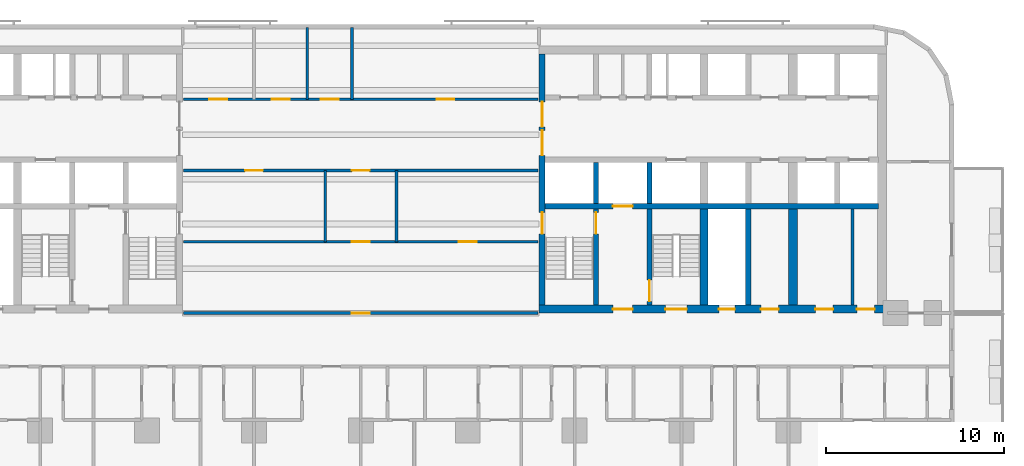
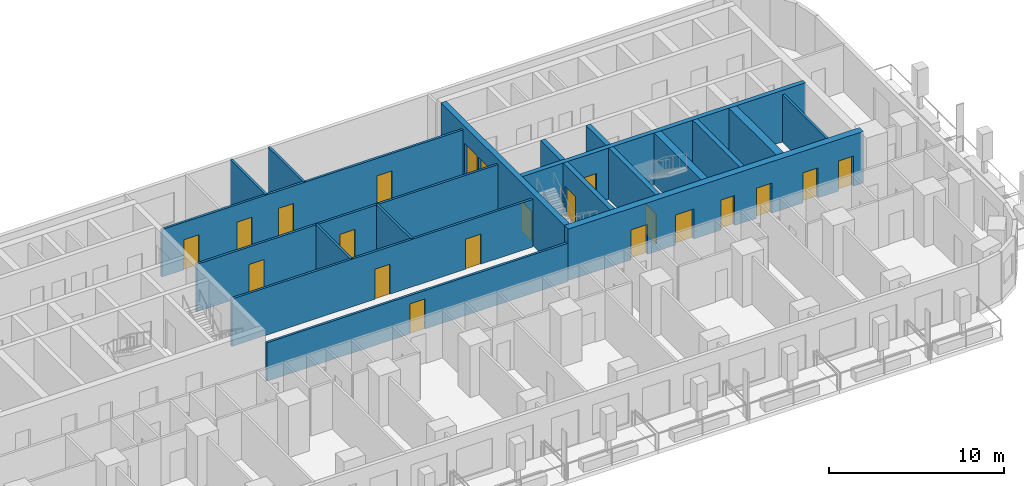
# One storey, part 7 of 14: 21 doors, 19 walls, 21 openings.
"""IFC4 building model written with IfcOpenShell, lengths in metres."""

from ifc_helpers import new_model, si_unit, direction, frame, frame_2d, origin, place, context, subcontext, project, spatial, rectangle, extrude, material, layer, layer_set, type_object, element, fill, save


model = new_model("IFC4")

# Units and contexts
model_context = context("Model", 3, precision=1e-05, world=origin(), true_north=direction((0.0, 1.0)))
body_context = subcontext(model_context, "Body", "Model", "MODEL_VIEW")
ifc_project = project(units=[si_unit("LENGTHUNIT", "METRE"), si_unit("AREAUNIT", "SQUARE_METRE"), si_unit("VOLUMEUNIT", "CUBIC_METRE"), si_unit("PLANEANGLEUNIT", "RADIAN"), si_unit("MASSUNIT", "GRAM", prefix="KILO")], contexts=[model_context])

# Site, building, storey
site_placement = place(None, origin())
site = spatial("IfcSite", under=ifc_project, at=site_placement, CompositionType="ELEMENT")
building_placement = place(site_placement, origin())
building = spatial("IfcBuilding", under=site, at=building_placement, Name="Torana Hotel and Residences", CompositionType="ELEMENT")
storey_placement = place(building_placement, frame((0.0, 0.0, 74.39990234375)))
storey = spatial("IfcBuildingStorey", under=building, at=storey_placement, Name="L18", CompositionType="ELEMENT", Elevation=74.39990234375)

# Wall, opening, door
ifc_material_1 = material(Name="Concrete C80/95", Category="concrete")
ifc_layer_1 = layer(ifc_material_1, 0.300048828125)
ifc_layer_set_1 = layer_set([ifc_layer_1], Name="CORE WALL 300 C80/95")
wall_type_1 = type_object("IfcWallType", Name="CORE WALL 300 C80/95", PredefinedType="SHEAR", material=ifc_layer_set_1)
wall_1_placement = place(storey_placement, frame((10.35009765625, -9.0, 0.0), z_axis=(0.0, 0.0, 1.0), x_axis=(1.0, 0.0, 0.0)))
wall_1 = element("IfcWall", 1, at=wall_1_placement, inside=storey, type_object=wall_type_1, Name="Core wall E band", PredefinedType="SHEAR", context=body_context, shape_type="SweptSolid", body=[
    extrude(rectangle(XDim=18.699951171875, YDim=0.300048828125, at=frame_2d((9.35009765625, 0.0))), origin(), (0.0, 0.0, 1.0), 3.60009765625),
])
opening_1_placement = place(wall_1_placement, frame((3.800048828125, 0.0, 0.0)))
opening_1 = element("IfcOpeningElement", 2, at=opening_1_placement, cuts=wall_1, Name="Opening LD", PredefinedType="OPENING", context=body_context, shape_type="SweptSolid", body=[
    extrude(rectangle(XDim=1.10009765625, YDim=2.10009765625, at=frame_2d((0.550048828125, 1.050048828125))), frame((0.0, 0.159912109375, 0.0), z_axis=(0.0, -1.0, 0.0), x_axis=(1.0, 0.0, 0.0)), (0.0, 0.0, 1.0), 0.320068359375),
])
ifc_material_2 = material(Name="Stainless steel 316", Category="steel")
door_type_1 = type_object("IfcDoorType", Name="LIFT LANDING DOOR LD 1100x2100", OperationType="DOUBLE_DOOR_SLIDING", PredefinedType="USERDEFINED", material=ifc_material_2)
door_1_placement = place(opening_1_placement, origin())
door_1 = element("IfcDoor", 3, at=door_1_placement, inside=storey, type_object=door_type_1, Name="Lift landing door FF2 L18", ObjectType="LIFT LANDING DOOR", OperationType="DOUBLE_DOOR_SLIDING", OverallHeight=2.10009765625, OverallWidth=1.10009765625, PredefinedType="USERDEFINED", context=body_context, shape_type="SweptSolid", body=[
    extrude(rectangle(XDim=1.10009765625, YDim=2.10009765625, at=frame_2d((0.550048828125, 1.050048828125))), frame((0.0, 0.02490234375, 0.0), z_axis=(0.0, -1.0, 0.0), x_axis=(1.0, 0.0, 0.0)), (0.0, 0.0, 1.0), 0.050048828125),
])
fill(opening_1, door_1)

# Wall
wall_2_placement = place(storey_placement, frame((13.199951171875, -8.85009765625, 0.0), z_axis=(0.0, 0.0, 1.0), x_axis=(0.0, 1.0, 0.0)))
element("IfcWall", 4, at=wall_2_placement, inside=storey, type_object=wall_type_1, Name="Core wall E x3.05-S", PredefinedType="SHEAR", context=body_context, shape_type="SweptSolid", body=[
    extrude(rectangle(XDim=2.300048828125, YDim=0.300048828125, at=frame_2d((1.14990234375, 0.0))), origin(), (0.0, 0.0, 1.0), 3.60009765625),
])

# Wall, opening, door
wall_3_placement = place(storey_placement, frame((13.199951171875, -14.550048828125, 0.0), z_axis=(0.0, 0.0, 1.0), x_axis=(0.0, 1.0, 0.0)))
wall_3 = element("IfcWall", 5, at=wall_3_placement, inside=storey, type_object=wall_type_1, Name="Core wall E x3.05-band", PredefinedType="SHEAR", context=body_context, shape_type="SweptSolid", body=[
    extrude(rectangle(XDim=5.400146484375, YDim=0.300048828125, at=frame_2d((2.7001953125, 0.0))), origin(), (0.0, 0.0, 1.0), 3.60009765625),
])
opening_2_placement = place(wall_3_placement, frame((4.0, 0.0, 0.0)))
opening_2 = element("IfcOpeningElement", 6, at=opening_2_placement, cuts=wall_3, Name="Opening L18-35", PredefinedType="OPENING", context=body_context, shape_type="SweptSolid", body=[
    extrude(rectangle(XDim=1.199951171875, YDim=2.10009765625, at=frame_2d((0.60009765625, 1.050048828125))), frame((0.0, 0.159912109375, 0.0), z_axis=(0.0, -1.0, 0.0), x_axis=(1.0, 0.0, 0.0)), (0.0, 0.0, 1.0), 0.320068359375),
])
ifc_material_3 = material(Name="Steel S235", Category="steel")
door_type_2 = type_object("IfcDoorType", Name="STAIR FIRE DOOR D3 1200x2100", OperationType="SINGLE_SWING_LEFT", PredefinedType="DOOR", material=ifc_material_3)
door_2_placement = place(opening_2_placement, origin())
door_2 = element("IfcDoor", 7, at=door_2_placement, inside=storey, type_object=door_type_2, Name="Stair-A-lobby door L18", OperationType="SINGLE_SWING_LEFT", OverallHeight=2.10009765625, OverallWidth=1.199951171875, PredefinedType="DOOR", context=body_context, shape_type="SweptSolid", body=[
    extrude(rectangle(XDim=1.199951171875, YDim=2.10009765625, at=frame_2d((0.60009765625, 1.050048828125))), frame((0.0, 0.02490234375, 0.0), z_axis=(0.0, -1.0, 0.0), x_axis=(1.0, 0.0, 0.0)), (0.0, 0.0, 1.0), 0.050048828125),
])
fill(opening_2, door_2)

# Wall
wall_4_placement = place(storey_placement, frame((16.199951171875, -8.85009765625, 0.0), z_axis=(0.0, 0.0, 1.0), x_axis=(0.0, 1.0, 0.0)))
element("IfcWall", 8, at=wall_4_placement, inside=storey, type_object=wall_type_1, Name="Core wall E x6.05-S", PredefinedType="SHEAR", context=body_context, shape_type="SweptSolid", body=[
    extrude(rectangle(XDim=2.300048828125, YDim=0.300048828125, at=frame_2d((1.14990234375, 0.0))), origin(), (0.0, 0.0, 1.0), 3.60009765625),
])

# Wall, opening, door
wall_5_placement = place(storey_placement, frame((16.199951171875, -14.550048828125, 0.0), z_axis=(0.0, 0.0, 1.0), x_axis=(0.0, 1.0, 0.0)))
wall_5 = element("IfcWall", 9, at=wall_5_placement, inside=storey, type_object=wall_type_1, Name="Core wall E x6.05-band", PredefinedType="SHEAR", context=body_context, shape_type="SweptSolid", body=[
    extrude(rectangle(XDim=5.400146484375, YDim=0.300048828125, at=frame_2d((2.7001953125, 0.0))), origin(), (0.0, 0.0, 1.0), 3.60009765625),
])
opening_3_placement = place(wall_5_placement, frame((0.199951171875, 0.0, 0.0)))
opening_3 = element("IfcOpeningElement", 10, at=opening_3_placement, cuts=wall_5, Name="Opening L18-36", PredefinedType="OPENING", context=body_context, shape_type="SweptSolid", body=[
    extrude(rectangle(XDim=1.199951171875, YDim=2.10009765625, at=frame_2d((0.60009765625, 1.050048828125))), frame((0.0, 0.159912109375, 0.0), z_axis=(0.0, -1.0, 0.0), x_axis=(1.0, 0.0, 0.0)), (0.0, 0.0, 1.0), 0.320068359375),
])
door_3_placement = place(opening_3_placement, frame((0.60009765625, 0.0, 0.0), z_axis=(0.0, 0.0, 1.0), x_axis=(-1.0, 0.0, 0.0)))
door_3 = element("IfcDoor", 11, at=door_3_placement, inside=storey, type_object=door_type_2, Name="Stair-B-lobby door L18", OperationType="SINGLE_SWING_LEFT", OverallHeight=2.10009765625, OverallWidth=1.199951171875, PredefinedType="DOOR", context=body_context, shape_type="SweptSolid", body=[
    extrude(rectangle(XDim=1.199951171875, YDim=2.10009765625, at=frame_2d((0.0, 1.050048828125))), frame((0.0, -0.02490234375, 0.0), z_axis=(0.0, 1.0, 0.0), x_axis=(-1.0, 0.0, 0.0)), (0.0, 0.0, 1.0), 0.050048828125),
])
fill(opening_3, door_3)

# Wall
wall_6_placement = place(storey_placement, frame((21.75, -14.550048828125, 0.0), z_axis=(0.0, 0.0, 1.0), x_axis=(0.0, 1.0, 0.0)))
element("IfcWall", 12, at=wall_6_placement, inside=storey, type_object=wall_type_1, Name="Core wall E mm-band", PredefinedType="SHEAR", context=body_context, shape_type="SweptSolid", body=[
    extrude(rectangle(XDim=5.400146484375, YDim=0.300048828125, at=frame_2d((2.7001953125, 0.0))), origin(), (0.0, 0.0, 1.0), 3.60009765625),
])

# Wall, openings, doors
ifc_material_4 = material(Name="Concrete C80/95", Category="concrete")
ifc_layer_2 = layer(ifc_material_4, 0.35009765625)
ifc_layer_set_2 = layer_set([ifc_layer_2], Name="CORE WALL 350 C80/95")
wall_type_2 = type_object("IfcWallType", Name="CORE WALL 350 C80/95", PredefinedType="SHEAR", material=ifc_layer_set_2)
wall_7_placement = place(storey_placement, frame((10.175048828125, -14.550048828125, 0.0), z_axis=(0.0, 0.0, 1.0), x_axis=(0.0, 1.0, 0.0)))
wall_7 = element("IfcWall", 13, at=wall_7_placement, inside=storey, type_object=wall_type_2, Name="Core wall E arch", PredefinedType="SHEAR", context=body_context, shape_type="SweptSolid", body=[
    extrude(rectangle(XDim=14.10009765625, YDim=0.35009765625, at=frame_2d((7.050048828125, 0.0))), origin(), (0.0, 0.0, 1.0), 3.60009765625),
])
opening_4_placement = place(wall_7_placement, frame((8.39990234375, 0.0, 0.0)))
opening_4 = element("IfcOpeningElement", 14, at=opening_4_placement, cuts=wall_7, Name="Opening L18-19", PredefinedType="OPENING", context=body_context, shape_type="SweptSolid", body=[
    extrude(rectangle(XDim=1.39990234375, YDim=2.39990234375, at=frame_2d((0.699951171875, 1.199951171875))), frame((0.0, 0.18505859375, 0.0), z_axis=(0.0, -1.0, 0.0), x_axis=(1.0, 0.0, 0.0)), (0.0, 0.0, 1.0), 0.3701171875),
])
opening_5_placement = place(wall_7_placement, frame((10.0, 0.0, 0.0)))
opening_5 = element("IfcOpeningElement", 15, at=opening_5_placement, cuts=wall_7, Name="Opening L18-20", PredefinedType="OPENING", context=body_context, shape_type="SweptSolid", body=[
    extrude(rectangle(XDim=1.39990234375, YDim=2.39990234375, at=frame_2d((0.699951171875, 1.199951171875))), frame((0.0, 0.18505859375, 0.0), z_axis=(0.0, -1.0, 0.0), x_axis=(1.0, 0.0, 0.0)), (0.0, 0.0, 1.0), 0.3701171875),
])
opening_6_placement = place(wall_7_placement, frame((4.0, 0.0, 0.0)))
opening_6 = element("IfcOpeningElement", 16, at=opening_6_placement, cuts=wall_7, Name="Opening L18-21", PredefinedType="OPENING", context=body_context, shape_type="SweptSolid", body=[
    extrude(rectangle(XDim=1.199951171875, YDim=2.10009765625, at=frame_2d((0.60009765625, 1.050048828125))), frame((0.0, 0.18505859375, 0.0), z_axis=(0.0, -1.0, 0.0), x_axis=(1.0, 0.0, 0.0)), (0.0, 0.0, 1.0), 0.3701171875),
])
ifc_material_5 = material(Name="Steel S235", Category="steel")
door_type_3 = type_object("IfcDoorType", Name="LOBBY FIRE DOOR D4 1400x2400", OperationType="DOUBLE_DOOR_SINGLE_SWING", PredefinedType="DOOR", material=ifc_material_5)
door_4_placement = place(opening_4_placement, origin())
door_4 = element("IfcDoor", 17, at=door_4_placement, inside=storey, type_object=door_type_3, Name="Lobby-1 door L18", OperationType="DOUBLE_DOOR_SINGLE_SWING", OverallHeight=2.39990234375, OverallWidth=1.39990234375, PredefinedType="DOOR", context=body_context, shape_type="SweptSolid", body=[
    extrude(rectangle(XDim=1.39990234375, YDim=2.39990234375, at=frame_2d((0.699951171875, 1.199951171875))), frame((0.0, 0.02490234375, 0.0), z_axis=(0.0, -1.0, 0.0), x_axis=(1.0, 0.0, 0.0)), (0.0, 0.0, 1.0), 0.050048828125),
])
fill(opening_4, door_4)
door_5_placement = place(opening_5_placement, origin())
door_5 = element("IfcDoor", 18, at=door_5_placement, inside=storey, type_object=door_type_3, Name="Lobby-2 door L18", OperationType="DOUBLE_DOOR_SINGLE_SWING", OverallHeight=2.39990234375, OverallWidth=1.39990234375, PredefinedType="DOOR", context=body_context, shape_type="SweptSolid", body=[
    extrude(rectangle(XDim=1.39990234375, YDim=2.39990234375, at=frame_2d((0.699951171875, 1.199951171875))), frame((0.0, 0.02490234375, 0.0), z_axis=(0.0, -1.0, 0.0), x_axis=(1.0, 0.0, 0.0)), (0.0, 0.0, 1.0), 0.050048828125),
])
fill(opening_5, door_5)
door_6_placement = place(opening_6_placement, frame((0.60009765625, 0.0, 0.0), z_axis=(0.0, 0.0, 1.0), x_axis=(-1.0, 0.0, 0.0)))
door_6 = element("IfcDoor", 19, at=door_6_placement, inside=storey, type_object=door_type_2, Name="Stair-A door L18", OperationType="SINGLE_SWING_RIGHT", OverallHeight=2.10009765625, OverallWidth=1.199951171875, PredefinedType="DOOR", context=body_context, shape_type="SweptSolid", body=[
    extrude(rectangle(XDim=1.199951171875, YDim=2.10009765625, at=frame_2d((0.0, 1.050048828125))), frame((0.0, -0.02490234375, 0.0), z_axis=(0.0, 1.0, 0.0), x_axis=(-1.0, 0.0, 0.0)), (0.0, 0.0, 1.0), 0.050048828125),
])
fill(opening_6, door_6)

ifc_material_6 = material(Name="Concrete C80/95", Category="concrete")
ifc_layer_3 = layer(ifc_material_6, 0.449951171875)
ifc_layer_set_3 = layer_set([ifc_layer_3], Name="CORE WALL 450 C80/95")
wall_type_3 = type_object("IfcWallType", Name="CORE WALL 450 C80/95", PredefinedType="SHEAR", material=ifc_layer_set_3)
wall_8_placement = place(storey_placement, frame((10.0, -14.77490234375, 0.0), z_axis=(0.0, 0.0, 1.0), x_axis=(1.0, 0.0, 0.0)))
wall_8 = element("IfcWall", 20, at=wall_8_placement, inside=storey, type_object=wall_type_3, Name="Core wall E front", PredefinedType="SHEAR", context=body_context, shape_type="SweptSolid", body=[
    extrude(rectangle(XDim=19.5, YDim=0.449951171875, at=frame_2d((9.75, 0.0))), origin(), (0.0, 0.0, 1.0), 3.60009765625),
])
opening_7_placement = place(wall_8_placement, frame((7.10009765625, 0.0, 0.0)))
opening_7 = element("IfcOpeningElement", 21, at=opening_7_placement, cuts=wall_8, Name="Opening L18-22", PredefinedType="OPENING", context=body_context, shape_type="SweptSolid", body=[
    extrude(rectangle(XDim=1.199951171875, YDim=2.10009765625, at=frame_2d((0.60009765625, 1.050048828125))), frame((0.0, 0.23486328125, 0.0), z_axis=(0.0, -1.0, 0.0), x_axis=(1.0, 0.0, 0.0)), (0.0, 0.0, 1.0), 0.469970703125),
])
opening_8_placement = place(wall_8_placement, frame((4.14990234375, 0.0, 0.0)))
opening_8 = element("IfcOpeningElement", 22, at=opening_8_placement, cuts=wall_8, Name="Opening L18-23", PredefinedType="OPENING", context=body_context, shape_type="SweptSolid", body=[
    extrude(rectangle(XDim=1.10009765625, YDim=2.10009765625, at=frame_2d((0.550048828125, 1.050048828125))), frame((0.0, 0.23486328125, 0.0), z_axis=(0.0, -1.0, 0.0), x_axis=(1.0, 0.0, 0.0)), (0.0, 0.0, 1.0), 0.469970703125),
])
opening_9_placement = place(wall_8_placement, frame((10.10009765625, 0.0, 0.0)))
opening_9 = element("IfcOpeningElement", 23, at=opening_9_placement, cuts=wall_8, Name="Opening L18-24", PredefinedType="OPENING", context=body_context, shape_type="SweptSolid", body=[
    extrude(rectangle(XDim=0.89990234375, YDim=2.10009765625, at=frame_2d((0.449951171875, 1.050048828125))), frame((0.0, 0.23486328125, 0.0), z_axis=(0.0, -1.0, 0.0), x_axis=(1.0, 0.0, 0.0)), (0.0, 0.0, 1.0), 0.469970703125),
])
opening_10_placement = place(wall_8_placement, frame((12.449951171875, 0.0, 0.0)))
opening_10 = element("IfcOpeningElement", 24, at=opening_10_placement, cuts=wall_8, Name="Opening L18-25", PredefinedType="OPENING", context=body_context, shape_type="SweptSolid", body=[
    extrude(rectangle(XDim=1.0, YDim=2.10009765625, at=frame_2d((0.5, 1.050048828125))), frame((0.0, 0.23486328125, 0.0), z_axis=(0.0, -1.0, 0.0), x_axis=(1.0, 0.0, 0.0)), (0.0, 0.0, 1.0), 0.469970703125),
])
opening_11_placement = place(wall_8_placement, frame((15.512451171875, 0.0, 0.0)))
opening_11 = element("IfcOpeningElement", 25, at=opening_11_placement, cuts=wall_8, Name="Opening L18-26", PredefinedType="OPENING", context=body_context, shape_type="SweptSolid", body=[
    extrude(rectangle(XDim=1.0, YDim=2.10009765625, at=frame_2d((0.5, 1.050048828125))), frame((0.0, 0.23486328125, 0.0), z_axis=(0.0, -1.0, 0.0), x_axis=(1.0, 0.0, 0.0)), (0.0, 0.0, 1.0), 0.469970703125),
])
opening_12_placement = place(wall_8_placement, frame((17.83740234375, 0.0, 0.0)))
opening_12 = element("IfcOpeningElement", 26, at=opening_12_placement, cuts=wall_8, Name="Opening L18-27", PredefinedType="OPENING", context=body_context, shape_type="SweptSolid", body=[
    extrude(rectangle(XDim=1.0, YDim=2.10009765625, at=frame_2d((0.5, 1.050048828125))), frame((0.0, 0.23486328125, 0.0), z_axis=(0.0, -1.0, 0.0), x_axis=(1.0, 0.0, 0.0)), (0.0, 0.0, 1.0), 0.469970703125),
])
ifc_material_7 = material(Name="Steel S235", Category="steel")
door_type_4 = type_object("IfcDoorType", Name="CORE ROOM FIRE DOOR D14 1000x2100", OperationType="SINGLE_SWING_LEFT", PredefinedType="DOOR", material=ifc_material_7)
door_7_placement = place(opening_10_placement, origin())
door_7 = element("IfcDoor", 27, at=door_7_placement, inside=storey, type_object=door_type_4, Name="M-Room door L18", OperationType="SINGLE_SWING_RIGHT", OverallHeight=2.10009765625, OverallWidth=1.0, PredefinedType="DOOR", context=body_context, shape_type="SweptSolid", body=[
    extrude(rectangle(XDim=1.0, YDim=2.10009765625, at=frame_2d((0.5, 1.050048828125))), frame((0.0, 0.02490234375, 0.0), z_axis=(0.0, -1.0, 0.0), x_axis=(1.0, 0.0, 0.0)), (0.0, 0.0, 1.0), 0.050048828125),
])
fill(opening_10, door_7)
door_8_placement = place(opening_11_placement, origin())
door_8 = element("IfcDoor", 28, at=door_8_placement, inside=storey, type_object=door_type_4, Name="L-A door L18", OperationType="SINGLE_SWING_RIGHT", OverallHeight=2.10009765625, OverallWidth=1.0, PredefinedType="DOOR", context=body_context, shape_type="SweptSolid", body=[
    extrude(rectangle(XDim=1.0, YDim=2.10009765625, at=frame_2d((0.5, 1.050048828125))), frame((0.0, 0.02490234375, 0.0), z_axis=(0.0, -1.0, 0.0), x_axis=(1.0, 0.0, 0.0)), (0.0, 0.0, 1.0), 0.050048828125),
])
fill(opening_11, door_8)
door_9_placement = place(opening_12_placement, origin())
door_9 = element("IfcDoor", 29, at=door_9_placement, inside=storey, type_object=door_type_4, Name="L-B door L18", OperationType="SINGLE_SWING_RIGHT", OverallHeight=2.10009765625, OverallWidth=1.0, PredefinedType="DOOR", context=body_context, shape_type="SweptSolid", body=[
    extrude(rectangle(XDim=1.0, YDim=2.10009765625, at=frame_2d((0.5, 1.050048828125))), frame((0.0, 0.02490234375, 0.0), z_axis=(0.0, -1.0, 0.0), x_axis=(1.0, 0.0, 0.0)), (0.0, 0.0, 1.0), 0.050048828125),
])
fill(opening_12, door_9)
ifc_material_8 = material(Name="Steel S235", Category="steel")
door_type_5 = type_object("IfcDoorType", Name="FIRE-FIGHTING LOBBY DOOR D8 1100x2100", OperationType="SINGLE_SWING_LEFT", PredefinedType="DOOR", material=ifc_material_8)
door_10_placement = place(opening_8_placement, origin())
door_10 = element("IfcDoor", 30, at=door_10_placement, inside=storey, type_object=door_type_5, Name="FF-lobby door L18", OperationType="SINGLE_SWING_RIGHT", OverallHeight=2.10009765625, OverallWidth=1.10009765625, PredefinedType="DOOR", context=body_context, shape_type="SweptSolid", body=[
    extrude(rectangle(XDim=1.10009765625, YDim=2.10009765625, at=frame_2d((0.550048828125, 1.050048828125))), frame((0.0, 0.02490234375, 0.0), z_axis=(0.0, -1.0, 0.0), x_axis=(1.0, 0.0, 0.0)), (0.0, 0.0, 1.0), 0.050048828125),
])
fill(opening_8, door_10)
ifc_material_9 = material(Name="Steel S235", Category="steel")
door_type_6 = type_object("IfcDoorType", Name="RISER ACCESS DOOR D5 900x2100", OperationType="SINGLE_SWING_LEFT", PredefinedType="DOOR", material=ifc_material_9)
door_11_placement = place(opening_9_placement, origin())
door_11 = element("IfcDoor", 31, at=door_11_placement, inside=storey, type_object=door_type_6, Name="M-Riser door L18", OperationType="SINGLE_SWING_RIGHT", OverallHeight=2.10009765625, OverallWidth=0.89990234375, PredefinedType="DOOR", context=body_context, shape_type="SweptSolid", body=[
    extrude(rectangle(XDim=0.89990234375, YDim=2.10009765625, at=frame_2d((0.449951171875, 1.050048828125))), frame((0.0, 0.02490234375, 0.0), z_axis=(0.0, -1.0, 0.0), x_axis=(1.0, 0.0, 0.0)), (0.0, 0.0, 1.0), 0.050048828125),
])
fill(opening_9, door_11)
door_12_placement = place(opening_7_placement, origin())
door_12 = element("IfcDoor", 32, at=door_12_placement, inside=storey, type_object=door_type_2, Name="Stair-B door L18", OperationType="SINGLE_SWING_RIGHT", OverallHeight=2.10009765625, OverallWidth=1.199951171875, PredefinedType="DOOR", context=body_context, shape_type="SweptSolid", body=[
    extrude(rectangle(XDim=1.199951171875, YDim=2.10009765625, at=frame_2d((0.60009765625, 1.050048828125))), frame((0.0, 0.02490234375, 0.0), z_axis=(0.0, -1.0, 0.0), x_axis=(1.0, 0.0, 0.0)), (0.0, 0.0, 1.0), 0.050048828125),
])
fill(opening_7, door_12)

# Walls
wall_9_placement = place(storey_placement, frame((19.27490234375, -14.550048828125, 0.0), z_axis=(0.0, 0.0, 1.0), x_axis=(0.0, 1.0, 0.0)))
element("IfcWall", 33, at=wall_9_placement, inside=storey, type_object=wall_type_3, Name="Core wall E hm-band", PredefinedType="SHEAR", context=body_context, shape_type="SweptSolid", body=[
    extrude(rectangle(XDim=5.400146484375, YDim=0.449951171875, at=frame_2d((2.7001953125, 0.0))), origin(), (0.0, 0.0, 1.0), 3.60009765625),
])
ifc_material_10 = material(Name="Concrete C80/95", Category="concrete")
ifc_layer_4 = layer(ifc_material_10, 0.5)
ifc_layer_set_4 = layer_set([ifc_layer_4], Name="CORE WALL 500 C80/95")
wall_type_4 = type_object("IfcWallType", Name="CORE WALL 500 C80/95", PredefinedType="SHEAR", material=ifc_layer_set_4)
wall_10_placement = place(storey_placement, frame((24.25, -14.550048828125, 0.0), z_axis=(0.0, 0.0, 1.0), x_axis=(0.0, 1.0, 0.0)))
element("IfcWall", 34, at=wall_10_placement, inside=storey, type_object=wall_type_4, Name="Core wall E ml-band", PredefinedType="SHEAR", context=body_context, shape_type="SweptSolid", body=[
    extrude(rectangle(XDim=5.400146484375, YDim=0.5, at=frame_2d((2.7001953125, 0.0))), origin(), (0.0, 0.0, 1.0), 3.60009765625),
])
ifc_material_11 = material(Name="Gypsum plaster")
ifc_layer_5 = layer(ifc_material_11, 0.014892578125, Name="Plaster", Category="finish")
ifc_material_12 = material(Name="Concrete blockwork", Category="masonry")
ifc_layer_6 = layer(ifc_material_12, 0.1201171875, Name="Blockwork", Category="structure")
ifc_layer_7 = layer(ifc_material_11, 0.014892578125, Name="Plaster", Category="finish")
ifc_layer_set_5 = layer_set([ifc_layer_5, ifc_layer_6, ifc_layer_7], Name="FIRE PARTITION 150 BLOCKWORK")
wall_type_5 = type_object("IfcWallType", Name="FIRE PARTITION 150 BLOCKWORK", PredefinedType="PARTITIONING", material=ifc_layer_set_5)
wall_11_placement = place(storey_placement, frame((27.60009765625, -14.550048828125, 0.0), z_axis=(0.0, 0.0, 1.0), x_axis=(0.0, 1.0, 0.0)))
element("IfcWall", 35, at=wall_11_placement, inside=storey, type_object=wall_type_5, Name="Core partition L18", PredefinedType="PARTITIONING", context=body_context, shape_type="SweptSolid", body=[
    extrude(rectangle(XDim=5.400146484375, YDim=0.14990234375, at=frame_2d((2.7001953125, 0.0))), origin(), (0.0, 0.0, 1.0), 3.300048828125),
])
for number, where, z_axis, x_axis, name in (
    (36, (2.0, -11.0, 0.0), (0.0, 0.0, 1.0), (0.0, 1.0, 0.0), "Partition L18"),
    (37, (-2.0, -11.0, 0.0), (0.0, 0.0, 1.0), (0.0, 1.0, 0.0), "Partition L18"),
):
    element("IfcWall", number, at=place(storey_placement, frame(where, z_axis=z_axis, x_axis=x_axis)), inside=storey, type_object=wall_type_5, Name=name, PredefinedType="PARTITIONING", context=body_context, shape_type="SweptSolid", body=[
        extrude(rectangle(XDim=4.0, YDim=0.14990234375, at=frame_2d((2.0, 0.0))), origin(), (0.0, 0.0, 1.0), 3.320068359375),
    ])

# Wall, opening, door
wall_12_placement = place(storey_placement, frame((-9.949951171875, -15.0, 0.0), z_axis=(0.0, 0.0, 1.0), x_axis=(1.0, 0.0, 0.0)))
wall_12 = element("IfcWall", 38, at=wall_12_placement, inside=storey, type_object=wall_type_5, Name="Partition L18", PredefinedType="PARTITIONING", context=body_context, shape_type="SweptSolid", body=[
    extrude(rectangle(XDim=19.89990234375, YDim=0.14990234375, at=frame_2d((9.949951171875, 0.0))), origin(), (0.0, 0.0, 1.0), 2.68408203125),
])
opening_13_placement = place(wall_12_placement, frame((9.449951171875, 0.0, 0.0)))
opening_13 = element("IfcOpeningElement", 39, at=opening_13_placement, cuts=wall_12, Name="Opening L18-37", PredefinedType="OPENING", context=body_context, shape_type="SweptSolid", body=[
    extrude(rectangle(XDim=1.0, YDim=2.10009765625, at=frame_2d((0.5, 1.050048828125))), frame((0.0, 0.0849609375, 0.0), z_axis=(0.0, -1.0, 0.0), x_axis=(1.0, 0.0, 0.0)), (0.0, 0.0, 1.0), 0.169921875),
])
ifc_material_13 = material(Name="Steel S235", Category="steel")
door_type_7 = type_object("IfcDoorType", Name="ENTRY FIRE DOOR D6 1000x2100", OperationType="SINGLE_SWING_LEFT", PredefinedType="DOOR", material=ifc_material_13)
door_13_placement = place(opening_13_placement, origin())
door_13 = element("IfcDoor", 40, at=door_13_placement, inside=storey, type_object=door_type_7, Name="Door L18", OperationType="SINGLE_SWING_RIGHT", OverallHeight=2.10009765625, OverallWidth=1.0, PredefinedType="DOOR", context=body_context, shape_type="SweptSolid", body=[
    extrude(rectangle(XDim=1.0, YDim=2.10009765625, at=frame_2d((0.5, 1.050048828125))), frame((0.0, 0.02490234375, 0.0), z_axis=(0.0, -1.0, 0.0), x_axis=(1.0, 0.0, 0.0)), (0.0, 0.0, 1.0), 0.050048828125),
])
fill(opening_13, door_13)

# Wall, openings, doors
wall_13_placement = place(storey_placement, frame((-9.949951171875, -11.0, 0.0), z_axis=(0.0, 0.0, 1.0), x_axis=(1.0, 0.0, 0.0)))
wall_13 = element("IfcWall", 41, at=wall_13_placement, inside=storey, type_object=wall_type_5, Name="Partition L18", PredefinedType="PARTITIONING", context=body_context, shape_type="SweptSolid", body=[
    extrude(rectangle(XDim=19.89990234375, YDim=0.14990234375, at=frame_2d((9.949951171875, 0.0))), origin(), (0.0, 0.0, 1.0), 3.320068359375),
])
opening_14_placement = place(wall_13_placement, frame((9.449951171875, 0.0, 0.0)))
opening_14 = element("IfcOpeningElement", 42, at=opening_14_placement, cuts=wall_13, Name="Opening L18-51", PredefinedType="OPENING", context=body_context, shape_type="SweptSolid", body=[
    extrude(rectangle(XDim=1.0, YDim=2.10009765625, at=frame_2d((0.5, 1.050048828125))), frame((0.0, 0.0849609375, 0.0), z_axis=(0.0, -1.0, 0.0), x_axis=(1.0, 0.0, 0.0)), (0.0, 0.0, 1.0), 0.169921875),
])
opening_15_placement = place(wall_13_placement, frame((15.449951171875, 0.0, 0.0)))
opening_15 = element("IfcOpeningElement", 43, at=opening_15_placement, cuts=wall_13, Name="Opening L18-52", PredefinedType="OPENING", context=body_context, shape_type="SweptSolid", body=[
    extrude(rectangle(XDim=1.0, YDim=2.10009765625, at=frame_2d((0.5, 1.050048828125))), frame((0.0, 0.0849609375, 0.0), z_axis=(0.0, -1.0, 0.0), x_axis=(1.0, 0.0, 0.0)), (0.0, 0.0, 1.0), 0.169921875),
])
door_14_placement = place(opening_14_placement, origin())
door_14 = element("IfcDoor", 44, at=door_14_placement, inside=storey, type_object=door_type_7, Name="Door L18", OperationType="SINGLE_SWING_RIGHT", OverallHeight=2.10009765625, OverallWidth=1.0, PredefinedType="DOOR", context=body_context, shape_type="SweptSolid", body=[
    extrude(rectangle(XDim=1.0, YDim=2.10009765625, at=frame_2d((0.5, 1.050048828125))), frame((0.0, 0.02490234375, 0.0), z_axis=(0.0, -1.0, 0.0), x_axis=(1.0, 0.0, 0.0)), (0.0, 0.0, 1.0), 0.050048828125),
])
fill(opening_14, door_14)
door_15_placement = place(opening_15_placement, origin())
door_15 = element("IfcDoor", 45, at=door_15_placement, inside=storey, type_object=door_type_7, Name="Door L18", OperationType="SINGLE_SWING_RIGHT", OverallHeight=2.10009765625, OverallWidth=1.0, PredefinedType="DOOR", context=body_context, shape_type="SweptSolid", body=[
    extrude(rectangle(XDim=1.0, YDim=2.10009765625, at=frame_2d((0.5, 1.050048828125))), frame((0.0, 0.02490234375, 0.0), z_axis=(0.0, -1.0, 0.0), x_axis=(1.0, 0.0, 0.0)), (0.0, 0.0, 1.0), 0.050048828125),
])
fill(opening_15, door_15)

wall_14_placement = place(storey_placement, frame((-9.949951171875, -7.0, 0.0), z_axis=(0.0, 0.0, 1.0), x_axis=(1.0, 0.0, 0.0)))
wall_14 = element("IfcWall", 46, at=wall_14_placement, inside=storey, type_object=wall_type_5, Name="Partition L18", PredefinedType="PARTITIONING", context=body_context, shape_type="SweptSolid", body=[
    extrude(rectangle(XDim=19.89990234375, YDim=0.14990234375, at=frame_2d((9.949951171875, 0.0))), origin(), (0.0, 0.0, 1.0), 3.320068359375),
])
opening_16_placement = place(wall_14_placement, frame((9.449951171875, 0.0, 0.0)))
opening_16 = element("IfcOpeningElement", 47, at=opening_16_placement, cuts=wall_14, Name="Opening L18-53", PredefinedType="OPENING", context=body_context, shape_type="SweptSolid", body=[
    extrude(rectangle(XDim=1.0, YDim=2.10009765625, at=frame_2d((0.5, 1.050048828125))), frame((0.0, 0.0849609375, 0.0), z_axis=(0.0, -1.0, 0.0), x_axis=(1.0, 0.0, 0.0)), (0.0, 0.0, 1.0), 0.169921875),
])
opening_17_placement = place(wall_14_placement, frame((3.449951171875, 0.0, 0.0)))
opening_17 = element("IfcOpeningElement", 48, at=opening_17_placement, cuts=wall_14, Name="Opening L18-54", PredefinedType="OPENING", context=body_context, shape_type="SweptSolid", body=[
    extrude(rectangle(XDim=1.0, YDim=2.10009765625, at=frame_2d((0.5, 1.050048828125))), frame((0.0, 0.0849609375, 0.0), z_axis=(0.0, -1.0, 0.0), x_axis=(1.0, 0.0, 0.0)), (0.0, 0.0, 1.0), 0.169921875),
])
door_16_placement = place(opening_16_placement, origin())
door_16 = element("IfcDoor", 49, at=door_16_placement, inside=storey, type_object=door_type_7, Name="Door L18", OperationType="SINGLE_SWING_RIGHT", OverallHeight=2.10009765625, OverallWidth=1.0, PredefinedType="DOOR", context=body_context, shape_type="SweptSolid", body=[
    extrude(rectangle(XDim=1.0, YDim=2.10009765625, at=frame_2d((0.5, 1.050048828125))), frame((0.0, 0.02490234375, 0.0), z_axis=(0.0, -1.0, 0.0), x_axis=(1.0, 0.0, 0.0)), (0.0, 0.0, 1.0), 0.050048828125),
])
fill(opening_16, door_16)
door_17_placement = place(opening_17_placement, frame((0.5, 0.0, 0.0), z_axis=(0.0, 0.0, 1.0), x_axis=(-1.0, 0.0, 0.0)))
door_17 = element("IfcDoor", 50, at=door_17_placement, inside=storey, type_object=door_type_7, Name="Door L18", OperationType="SINGLE_SWING_LEFT", OverallHeight=2.10009765625, OverallWidth=1.0, PredefinedType="DOOR", context=body_context, shape_type="SweptSolid", body=[
    extrude(rectangle(XDim=1.0, YDim=2.10009765625, at=frame_2d((0.0, 1.050048828125))), frame((0.0, -0.02490234375, 0.0), z_axis=(0.0, 1.0, 0.0), x_axis=(-1.0, 0.0, 0.0)), (0.0, 0.0, 1.0), 0.050048828125),
])
fill(opening_17, door_17)

wall_15_placement = place(storey_placement, frame((-9.949951171875, -3.0, 0.0), z_axis=(0.0, 0.0, 1.0), x_axis=(1.0, 0.0, 0.0)))
wall_15 = element("IfcWall", 51, at=wall_15_placement, inside=storey, type_object=wall_type_5, Name="Partition L18", PredefinedType="PARTITIONING", context=body_context, shape_type="SweptSolid", body=[
    extrude(rectangle(XDim=19.89990234375, YDim=0.14990234375, at=frame_2d((9.949951171875, 0.0))), origin(), (0.0, 0.0, 1.0), 3.320068359375),
])
opening_18_placement = place(wall_15_placement, frame((1.449951171875, 0.0, 0.0)))
opening_18 = element("IfcOpeningElement", 52, at=opening_18_placement, cuts=wall_15, Name="Opening L18-55", PredefinedType="OPENING", context=body_context, shape_type="SweptSolid", body=[
    extrude(rectangle(XDim=1.0, YDim=2.10009765625, at=frame_2d((0.5, 1.050048828125))), frame((0.0, 0.0849609375, 0.0), z_axis=(0.0, -1.0, 0.0), x_axis=(1.0, 0.0, 0.0)), (0.0, 0.0, 1.0), 0.169921875),
])
opening_19_placement = place(wall_15_placement, frame((4.949951171875, 0.0, 0.0)))
opening_19 = element("IfcOpeningElement", 53, at=opening_19_placement, cuts=wall_15, Name="Opening L18-56", PredefinedType="OPENING", context=body_context, shape_type="SweptSolid", body=[
    extrude(rectangle(XDim=1.0, YDim=2.10009765625, at=frame_2d((0.5, 1.050048828125))), frame((0.0, 0.0849609375, 0.0), z_axis=(0.0, -1.0, 0.0), x_axis=(1.0, 0.0, 0.0)), (0.0, 0.0, 1.0), 0.169921875),
])
opening_20_placement = place(wall_15_placement, frame((7.699951171875, 0.0, 0.0)))
opening_20 = element("IfcOpeningElement", 54, at=opening_20_placement, cuts=wall_15, Name="Opening L18-57", PredefinedType="OPENING", context=body_context, shape_type="SweptSolid", body=[
    extrude(rectangle(XDim=1.0, YDim=2.10009765625, at=frame_2d((0.5, 1.050048828125))), frame((0.0, 0.0849609375, 0.0), z_axis=(0.0, -1.0, 0.0), x_axis=(1.0, 0.0, 0.0)), (0.0, 0.0, 1.0), 0.169921875),
])
opening_21_placement = place(wall_15_placement, frame((14.199951171875, 0.0, 0.0)))
opening_21 = element("IfcOpeningElement", 55, at=opening_21_placement, cuts=wall_15, Name="Opening L18-58", PredefinedType="OPENING", context=body_context, shape_type="SweptSolid", body=[
    extrude(rectangle(XDim=1.0, YDim=2.10009765625, at=frame_2d((0.5, 1.050048828125))), frame((0.0, 0.0849609375, 0.0), z_axis=(0.0, -1.0, 0.0), x_axis=(1.0, 0.0, 0.0)), (0.0, 0.0, 1.0), 0.169921875),
])
door_18_placement = place(opening_18_placement, origin())
door_18 = element("IfcDoor", 56, at=door_18_placement, inside=storey, type_object=door_type_7, Name="Door L18", OperationType="SINGLE_SWING_RIGHT", OverallHeight=2.10009765625, OverallWidth=1.0, PredefinedType="DOOR", context=body_context, shape_type="SweptSolid", body=[
    extrude(rectangle(XDim=1.0, YDim=2.10009765625, at=frame_2d((0.5, 1.050048828125))), frame((0.0, 0.02490234375, 0.0), z_axis=(0.0, -1.0, 0.0), x_axis=(1.0, 0.0, 0.0)), (0.0, 0.0, 1.0), 0.050048828125),
])
fill(opening_18, door_18)
door_19_placement = place(opening_19_placement, origin())
door_19 = element("IfcDoor", 57, at=door_19_placement, inside=storey, type_object=door_type_7, Name="Door L18", OperationType="SINGLE_SWING_RIGHT", OverallHeight=2.10009765625, OverallWidth=1.0, PredefinedType="DOOR", context=body_context, shape_type="SweptSolid", body=[
    extrude(rectangle(XDim=1.0, YDim=2.10009765625, at=frame_2d((0.5, 1.050048828125))), frame((0.0, 0.02490234375, 0.0), z_axis=(0.0, -1.0, 0.0), x_axis=(1.0, 0.0, 0.0)), (0.0, 0.0, 1.0), 0.050048828125),
])
fill(opening_19, door_19)
door_20_placement = place(opening_20_placement, origin())
door_20 = element("IfcDoor", 58, at=door_20_placement, inside=storey, type_object=door_type_7, Name="Door L18", OperationType="SINGLE_SWING_RIGHT", OverallHeight=2.10009765625, OverallWidth=1.0, PredefinedType="DOOR", context=body_context, shape_type="SweptSolid", body=[
    extrude(rectangle(XDim=1.0, YDim=2.10009765625, at=frame_2d((0.5, 1.050048828125))), frame((0.0, 0.02490234375, 0.0), z_axis=(0.0, -1.0, 0.0), x_axis=(1.0, 0.0, 0.0)), (0.0, 0.0, 1.0), 0.050048828125),
])
fill(opening_20, door_20)
door_21_placement = place(opening_21_placement, origin())
door_21 = element("IfcDoor", 59, at=door_21_placement, inside=storey, type_object=door_type_7, Name="Door L18", OperationType="SINGLE_SWING_RIGHT", OverallHeight=2.10009765625, OverallWidth=1.0, PredefinedType="DOOR", context=body_context, shape_type="SweptSolid", body=[
    extrude(rectangle(XDim=1.0, YDim=2.10009765625, at=frame_2d((0.5, 1.050048828125))), frame((0.0, 0.02490234375, 0.0), z_axis=(0.0, -1.0, 0.0), x_axis=(1.0, 0.0, 0.0)), (0.0, 0.0, 1.0), 0.050048828125),
])
fill(opening_21, door_21)

# Walls
ifc_material_14 = material(Name="Ceramic tile on adhesive")
ifc_layer_8 = layer(ifc_material_14, 0.010009765625, Name="Wall tile", Category="finish")
ifc_material_15 = material(Name="Cement render")
ifc_layer_9 = layer(ifc_material_15, 0.010009765625, Name="Render", Category="finish")
ifc_layer_10 = layer(ifc_material_12, 0.110107421875, Name="Blockwork", Category="structure")
ifc_layer_11 = layer(ifc_material_15, 0.010009765625, Name="Render", Category="finish")
ifc_layer_12 = layer(ifc_material_14, 0.010009765625, Name="Wall tile", Category="finish")
ifc_layer_set_6 = layer_set([ifc_layer_8, ifc_layer_9, ifc_layer_10, ifc_layer_11, ifc_layer_12], Name="WC PARTITION 150")
wall_type_6 = type_object("IfcWallType", Name="WC PARTITION 150", PredefinedType="PLUMBINGWALL", material=ifc_layer_set_6)
for number, where, z_axis, x_axis, name in (
    (60, (-0.5, -3.0, 0.0), (0.0, 0.0, 1.0), (0.0, 1.0, 0.0), "Partition L18"),
    (61, (-3.0, -3.0, 0.0), (0.0, 0.0, 1.0), (0.0, 1.0, 0.0), "Partition L18"),
):
    element("IfcWall", number, at=place(storey_placement, frame(where, z_axis=z_axis, x_axis=x_axis)), inside=storey, type_object=wall_type_6, Name=name, PredefinedType="PLUMBINGWALL", context=body_context, shape_type="SweptSolid", body=[
        extrude(rectangle(XDim=4.02001953125, YDim=0.14990234375, at=frame_2d((2.010009765625, 0.0))), origin(), (0.0, 0.0, 1.0), 3.320068359375),
    ])

save(model, "model.ifc")
